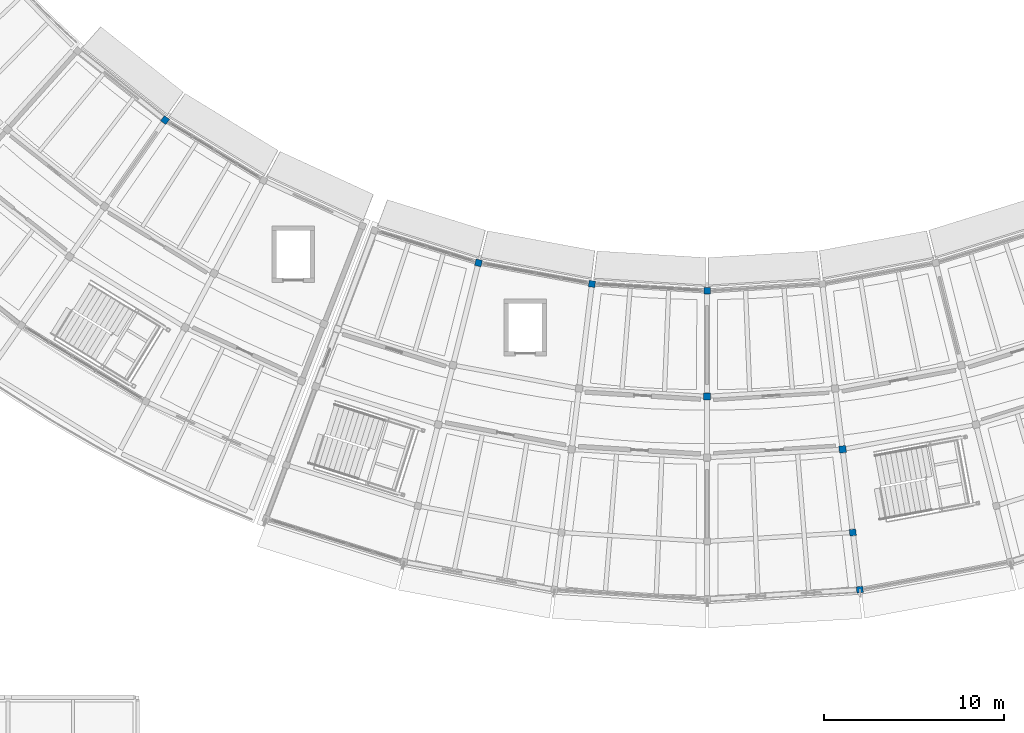
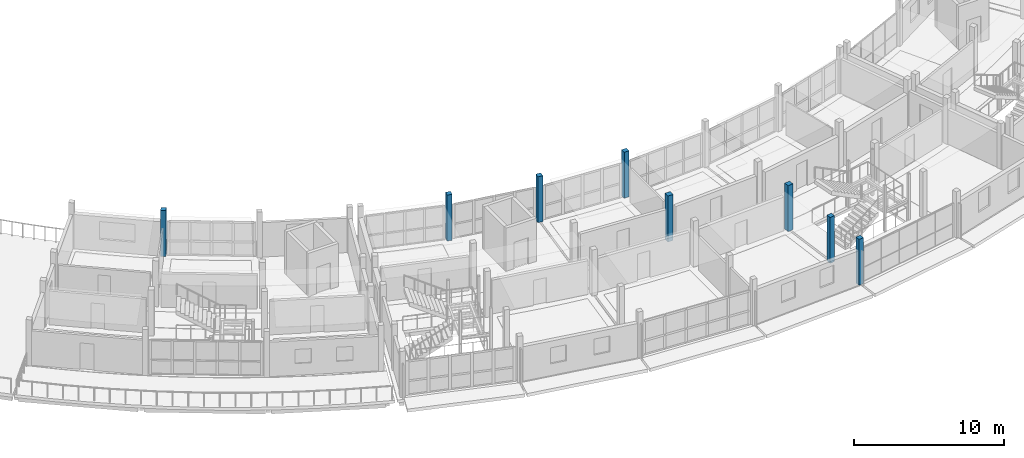
# One storey, part 4 of 36: 8 columns.
"""IFC4 building model written with IfcOpenShell, lengths in metres."""

from ifc_helpers import new_model, si_unit, direction, frame, origin, origin_2d, place, context, subcontext, project, spatial, rectangle, extrude, material, material_profile, profile_set, type_object, element, save


model = new_model("IFC4")

# Units and contexts
model_context = context("Model", 3, precision=1e-05, world=origin(), true_north=direction((0.0, 1.0)))
body_context = subcontext(model_context, "Body", "Model", "MODEL_VIEW")
ifc_project = project(units=[si_unit("LENGTHUNIT", "METRE"), si_unit("AREAUNIT", "SQUARE_METRE"), si_unit("VOLUMEUNIT", "CUBIC_METRE"), si_unit("PLANEANGLEUNIT", "RADIAN"), si_unit("MASSUNIT", "GRAM", prefix="KILO")], contexts=[model_context])

# Site, building, storey
site_placement = place(None, origin())
site = spatial("IfcSite", under=ifc_project, at=site_placement, CompositionType="ELEMENT")
building_placement = place(site_placement, origin())
building = spatial("IfcBuilding", under=site, at=building_placement, Name="Caldaven Crescent School", CompositionType="ELEMENT")
storey_placement = place(building_placement, frame((0.0, 0.0, 11.89990234375)))
storey = spatial("IfcBuildingStorey", under=building, at=storey_placement, Name="L03", CompositionType="ELEMENT", Elevation=11.89990234375)

# Columns
ifc_material = material(Name="Glulam MLE24h (GL28h)", Category="wood")
ifc_material_profile_1 = material_profile(ifc_material, rectangle(XDim=0.360107421875, YDim=0.360107421875, at=origin_2d()), Name="MLE 360x360")
ifc_profile_set_1 = profile_set([ifc_material_profile_1], Name="Glulam MLE24h (GL28h)")
column_type_1 = type_object("IfcColumnType", Name="COL-GL36", PredefinedType="COLUMN", material=ifc_profile_set_1)
for number, where, z_axis, x_axis, name in (
    (1, (57.916015625, 53.035400390625, 0.0), (0.0, 0.0, 1.0), (-0.573576436351, -0.819152044289, 0.0), "COL-V4W-L03-01-0"),
    (2, (75.311279296875, 45.10791015625, 0.0), (0.0, 0.0, 1.0), (-0.2419218956, -0.970295726276, 0.0), "COL-V5-L03-01-0"),
    (3, (81.60791015625, 43.94091796875, 0.0), (0.0, 0.0, 1.0), (-0.121869343405, -0.992546151641, 0.0), "COL-V5-L03-02-0"),
    (4, (88.0, 43.550048828125, 0.0), (0.0, 0.0, 1.0), (0.0, -1.0, 0.0), "COL-V5-L03-03-0"),
    (5, (96.0859375, 30.14453125, 0.0), (0.0, 0.0, 1.0), (0.121869343405, -0.992546151641, 0.0), "COL-V5-L03-04-3"),
    (6, (96.47607421875, 26.968505859375, 0.0), (0.0, 0.0, 1.0), (0.121869343405, -0.992546151641, 0.0), "COL-V5-L03-04-4"),
):
    element("IfcColumn", number, at=place(storey_placement, frame(where, z_axis=z_axis, x_axis=x_axis)), inside=storey, type_object=column_type_1, Name=name, PredefinedType="COLUMN", context=body_context, shape_type="SweptSolid", body=[
        extrude(rectangle(XDim=0.360107421875, YDim=0.360107421875, at=origin_2d()), origin(), (0.0, 0.0, 1.0), 3.739990234375),
    ])
ifc_material_profile_2 = material_profile(ifc_material, rectangle(XDim=0.389892578125, YDim=0.389892578125, at=origin_2d()), Name="MLE 390x390")
ifc_profile_set_2 = profile_set([ifc_material_profile_2], Name="Glulam MLE24h (GL28h)")
column_type_2 = type_object("IfcColumnType", Name="COL-GL39", PredefinedType="COLUMN", material=ifc_profile_set_2)
for number, where, z_axis, x_axis, name in (
    (7, (88.0, 37.699951171875, 0.0), (0.0, 0.0, 1.0), (0.0, -1.0, 0.0), "COL-V5-L03-03-1"),
    (8, (95.519287109375, 34.760009765625, 0.0), (0.0, 0.0, 1.0), (0.121869343405, -0.992546151641, 0.0), "COL-V5-L03-04-2"),
):
    element("IfcColumn", number, at=place(storey_placement, frame(where, z_axis=z_axis, x_axis=x_axis)), inside=storey, type_object=column_type_2, Name=name, PredefinedType="COLUMN", context=body_context, shape_type="SweptSolid", body=[
        extrude(rectangle(XDim=0.389892578125, YDim=0.389892578125, at=origin_2d()), origin(), (0.0, 0.0, 1.0), 3.739990234375),
    ])

save(model, "model.ifc")
